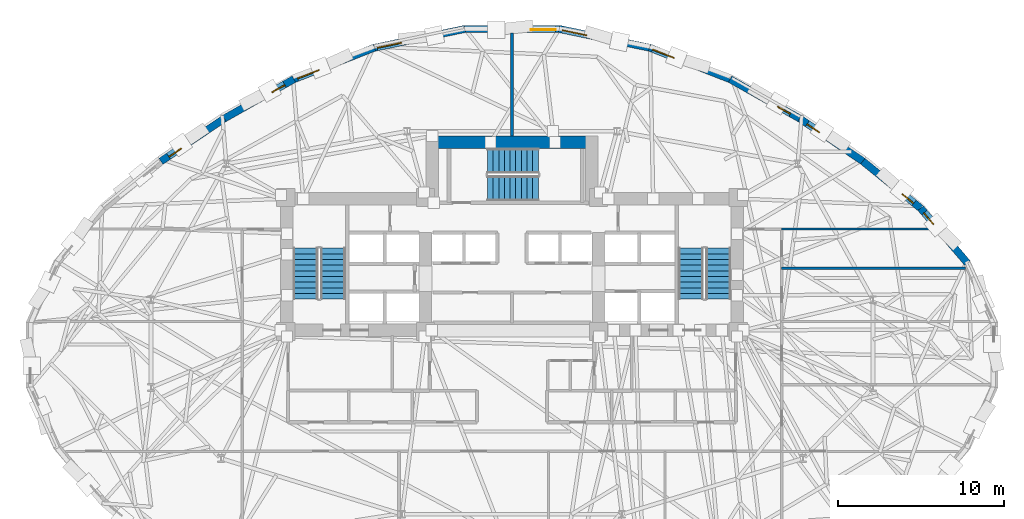
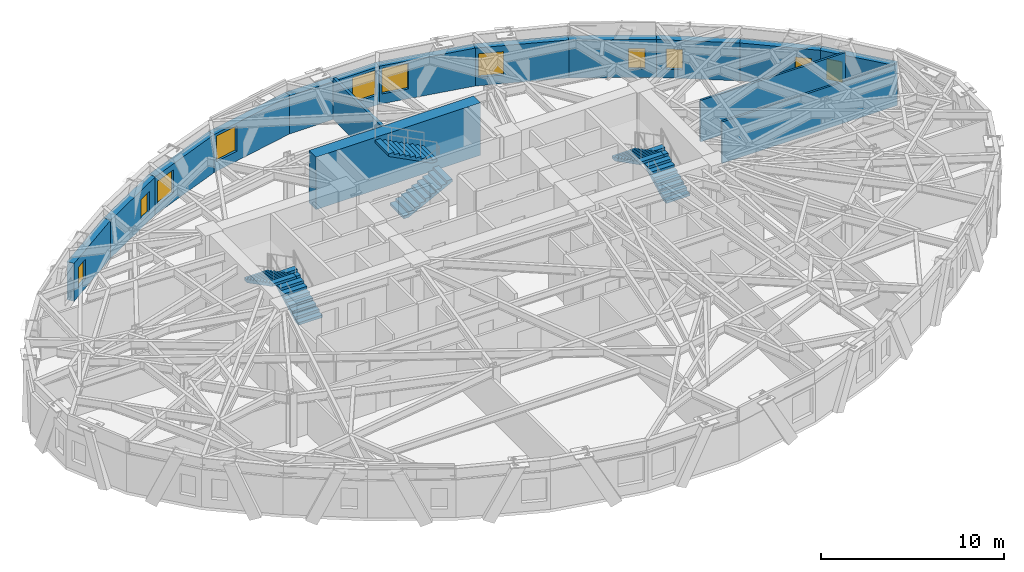
# One storey, part 10 of 14: 15 walls, 11 windows, 6 stair flights, 11 openings, 3 elements without a shape of their own.
"""IFC4 building model written with IfcOpenShell, lengths in metres."""

from ifc_helpers import new_model, si_unit, direction, frame, frame_2d, origin, place, context, subcontext, project, spatial, polyline, rectangle, outline, extrude, material, layer, layer_set, type_object, element, fill, aggregate, save


model = new_model("IFC4")

# Units and contexts
model_context = context("Model", 3, precision=1e-05, world=origin(), true_north=direction((0.0, 1.0)))
body_context = subcontext(model_context, "Body", "Model", "MODEL_VIEW")
ifc_project = project(units=[si_unit("LENGTHUNIT", "METRE"), si_unit("AREAUNIT", "SQUARE_METRE"), si_unit("VOLUMEUNIT", "CUBIC_METRE"), si_unit("PLANEANGLEUNIT", "RADIAN"), si_unit("MASSUNIT", "GRAM", prefix="KILO")], contexts=[model_context])

# Site, building, storey
site_placement = place(None, origin())
site = spatial("IfcSite", under=ifc_project, at=site_placement, CompositionType="ELEMENT")
building_placement = place(site_placement, origin())
building = spatial("IfcBuilding", under=site, at=building_placement, Name="Keldmark Tower", CompositionType="ELEMENT")
storey_placement = place(building_placement, frame((0.0, 0.0, 86.10009765625)))
storey = spatial("IfcBuildingStorey", under=building, at=storey_placement, Name="L22", CompositionType="ELEMENT", Elevation=86.10009765625)

# Walls
ifc_material_1 = material(Name="STC-58 Insulated Tenant Demising Gypsum Partition", Category="gypsum")
ifc_layer_1 = layer(ifc_material_1, 0.175048828125)
ifc_layer_set_1 = layer_set([ifc_layer_1], Name="STC-58 Insulated Tenant Demising Gypsum Partition")
wall_type_1 = type_object("IfcWallType", Name="Demising Suite Partition 175 mm", PredefinedType="PARTITIONING", material=ifc_layer_set_1)
wall_1_placement = place(storey_placement, frame((0.0, 13.14990234375, 0.0), z_axis=(0.0, 0.0, 1.0), x_axis=(0.0, 1.0, 0.0)))
element("IfcWall", 1, at=wall_1_placement, inside=storey, type_object=wall_type_1, Name="L22 Demising Suite Partition 175 mm N-MID-DIV", PredefinedType="PARTITIONING", context=body_context, shape_type="SweptSolid", body=[
    extrude(rectangle(XDim=6.19970703125, YDim=0.175048828125, at=frame_2d((3.099853515625, 0.0))), origin(), (0.0, 0.0, 1.0), 2.762939453125),
])
ifc_material_2 = material(Name="Acoustic Gypsum Board Interior Partition", Category="gypsum")
ifc_layer_2 = layer(ifc_material_2, 0.1298828125)
ifc_layer_set_2 = layer_set([ifc_layer_2], Name="Acoustic Gypsum Board Interior Partition")
wall_type_2 = type_object("IfcWallType", Name="Interior Partition 130 mm", PredefinedType="PARTITIONING", material=ifc_layer_set_2)
wall_2_placement = place(storey_placement, frame((16.199951171875, 7.550048828125, 0.0), z_axis=(0.0, 0.0, 1.0), x_axis=(1.0, 0.0, 0.0)))
element("IfcWall", 2, at=wall_2_placement, inside=storey, type_object=wall_type_2, Name="L22 Interior Partition 130 mm E-CAP-N", PredefinedType="PARTITIONING", context=body_context, shape_type="SweptSolid", body=[
    extrude(rectangle(XDim=9.130859375, YDim=0.1298828125, at=frame_2d((4.5654296875, 0.0))), origin(), (0.0, 0.0, 1.0), 2.762939453125),
])
wall_3_placement = place(storey_placement, frame((16.199951171875, 5.199951171875, 0.0), z_axis=(0.0, 0.0, 1.0), x_axis=(1.0, 0.0, 0.0)))
element("IfcWall", 3, at=wall_3_placement, inside=storey, type_object=wall_type_2, Name="L22 Interior Partition 130 mm E-DIV-3", PredefinedType="PARTITIONING", context=body_context, shape_type="SweptSolid", body=[
    extrude(rectangle(XDim=11.047607421875, YDim=0.1298828125, at=frame_2d((5.52392578125, 0.0))), origin(), (0.0, 0.0, 1.0), 2.762939453125),
])
ifc_material_3 = material(Name="Concrete C70/85", Category="concrete")
ifc_layer_3 = layer(ifc_material_3, 0.75)
ifc_layer_set_3 = layer_set([ifc_layer_3], Name="Concrete C70/85")
wall_type_3 = type_object("IfcWallType", Name="Low-Mid Core Shear Wall 750 mm", PredefinedType="SHEAR", material=ifc_layer_set_3)
wall_4_placement = place(storey_placement, frame((-5.175048828125, 12.77490234375, 0.0), z_axis=(0.0, 0.0, 1.0), x_axis=(1.0, 0.0, 0.0)))
element("IfcWall", 4, at=wall_4_placement, inside=storey, type_object=wall_type_3, Name="L22 North Core Shear Wall", PredefinedType="SHEAR", context=body_context, shape_type="SweptSolid", body=[
    extrude(rectangle(XDim=10.35009765625, YDim=0.75, at=frame_2d((5.175048828125, 0.0))), origin(), (0.0, 0.0, 1.0), 3.5),
])

# Wall, opening, window
ifc_material_4 = material(Name="Ironspot Manganese Brick and Kasota Buff Limestone Spandrel Assembly", Category="masonry")
ifc_layer_4 = layer(ifc_material_4, 0.43994140625)
ifc_layer_set_4 = layer_set([ifc_layer_4], Name="Ironspot Manganese Brick and Kasota Buff Limestone Spandrel Assembly")
wall_type_4 = type_object("IfcWallType", Name="Tower Brick Pier and Spandrel Wall 440 mm", PredefinedType="STANDARD", material=ifc_layer_set_4)
wall_5_placement = place(storey_placement, frame((24.552978515625, 8.8134765625, 0.0), z_axis=(0.0, 0.0, 1.0), x_axis=(0.648913975558, -0.760861782669, 0.0)))
wall_5 = element("IfcWall", 5, at=wall_5_placement, inside=storey, type_object=wall_type_4, Name="L22 Exterior Brick and Spandrel Wall 02", PredefinedType="STANDARD", context=body_context, shape_type="SweptSolid", body=[
    extrude(rectangle(XDim=4.3310546875, YDim=0.43994140625, at=frame_2d((2.16552734375, 0.0))), origin(), (0.0, 0.0, 1.0), 2.52783203125),
])
opening_1_placement = place(wall_5_placement, frame((0.34912109375, 0.0, 0.580078125)))
opening_1 = element("IfcOpeningElement", 6, at=opening_1_placement, cuts=wall_5, Name="Opening W-09", PredefinedType="OPENING", context=body_context, shape_type="SweptSolid", body=[
    extrude(rectangle(XDim=0.89990234375, YDim=1.35009765625, at=frame_2d((0.449951171875, 0.675048828125))), frame((0.0, 0.22998046875, 0.0), z_axis=(0.0, -1.0, 0.0), x_axis=(1.0, 0.0, 0.0)), (0.0, 0.0, 1.0), 0.4599609375),
])
ifc_material_5 = material(Name="Thermally Broken Anodized Aluminum and Triple Low-E Argon Glazing", Category="aluminium")
window_type_1 = type_object("IfcWindowType", Name="Corner Pier Deep-Set Window 900x1350", PartitioningType="SINGLE_PANEL", PredefinedType="WINDOW", material=ifc_material_5)
window_1_placement = place(opening_1_placement, origin())
window_1 = element("IfcWindow", 7, at=window_1_placement, inside=storey, type_object=window_type_1, Name="L22 Deep-Set Window 02", OverallHeight=1.35009765625, OverallWidth=0.89990234375, PartitioningType="SINGLE_PANEL", PredefinedType="WINDOW", context=body_context, shape_type="SweptSolid", body=[
    extrude(rectangle(XDim=0.89990234375, YDim=1.35009765625, at=frame_2d((0.449951171875, 0.675048828125))), frame((0.0, -0.010009765625, 0.0), z_axis=(0.0, -1.0, 0.0), x_axis=(1.0, 0.0, 0.0)), (0.0, 0.0, 1.0), 0.06005859375),
])
fill(opening_1, window_1)

wall_6_placement = place(storey_placement, frame((21.080810546875, 11.63330078125, 0.0), z_axis=(0.0, 0.0, 1.0), x_axis=(0.775728286929, -0.631067052585, 0.0)))
wall_6 = element("IfcWall", 8, at=wall_6_placement, inside=storey, type_object=wall_type_4, Name="L22 Exterior Brick and Spandrel Wall 03", PredefinedType="STANDARD", context=body_context, shape_type="SweptSolid", body=[
    extrude(rectangle(XDim=4.512939453125, YDim=0.43994140625, at=frame_2d((2.25634765625, 0.0))), origin(), (0.0, 0.0, 1.0), 2.52783203125),
])
opening_2_placement = place(wall_6_placement, frame((3.066650390625, 0.0, 0.580078125)))
opening_2 = element("IfcOpeningElement", 9, at=opening_2_placement, cuts=wall_6, Name="Opening W-09", PredefinedType="OPENING", context=body_context, shape_type="SweptSolid", body=[
    extrude(rectangle(XDim=0.89990234375, YDim=1.35009765625, at=frame_2d((0.449951171875, 0.675048828125))), frame((0.0, 0.22998046875, 0.0), z_axis=(0.0, -1.0, 0.0), x_axis=(1.0, 0.0, 0.0)), (0.0, 0.0, 1.0), 0.4599609375),
])
window_2_placement = place(opening_2_placement, origin())
window_2 = element("IfcWindow", 10, at=window_2_placement, inside=storey, type_object=window_type_1, Name="L22 Deep-Set Window 03", OverallHeight=1.35009765625, OverallWidth=0.89990234375, PartitioningType="SINGLE_PANEL", PredefinedType="WINDOW", context=body_context, shape_type="SweptSolid", body=[
    extrude(rectangle(XDim=0.89990234375, YDim=1.35009765625, at=frame_2d((0.449951171875, 0.675048828125))), frame((0.0, -0.010009765625, 0.0), z_axis=(0.0, -1.0, 0.0), x_axis=(1.0, 0.0, 0.0)), (0.0, 0.0, 1.0), 0.06005859375),
])
fill(opening_2, window_2)

wall_7_placement = place(storey_placement, frame((17.291015625, 14.200927734375, 0.0), z_axis=(0.0, 0.0, 1.0), x_axis=(0.827777061901, -0.561057159112, 0.0)))
wall_7 = element("IfcWall", 11, at=wall_7_placement, inside=storey, type_object=wall_type_4, Name="L22 Exterior Brick and Spandrel Wall 04", PredefinedType="STANDARD", context=body_context, shape_type="SweptSolid", body=[
    extrude(rectangle(XDim=4.596923828125, YDim=0.43994140625, at=frame_2d((2.29833984375, 0.0))), origin(), (0.0, 0.0, 1.0), 2.52783203125),
])
opening_3_placement = place(wall_7_placement, frame((0.5498046875, 0.0, 0.580078125)))
opening_3 = element("IfcOpeningElement", 12, at=opening_3_placement, cuts=wall_7, Name="Opening W-09", PredefinedType="OPENING", context=body_context, shape_type="SweptSolid", body=[
    extrude(rectangle(XDim=0.89990234375, YDim=1.35009765625, at=frame_2d((0.449951171875, 0.675048828125))), frame((0.0, 0.22998046875, 0.0), z_axis=(0.0, -1.0, 0.0), x_axis=(1.0, 0.0, 0.0)), (0.0, 0.0, 1.0), 0.4599609375),
])
window_3_placement = place(opening_3_placement, origin())
window_3 = element("IfcWindow", 13, at=window_3_placement, inside=storey, type_object=window_type_1, Name="L22 Deep-Set Window 04", OverallHeight=1.35009765625, OverallWidth=0.89990234375, PartitioningType="SINGLE_PANEL", PredefinedType="WINDOW", context=body_context, shape_type="SweptSolid", body=[
    extrude(rectangle(XDim=0.89990234375, YDim=1.35009765625, at=frame_2d((0.449951171875, 0.675048828125))), frame((0.0, -0.010009765625, 0.0), z_axis=(0.0, -1.0, 0.0), x_axis=(1.0, 0.0, 0.0)), (0.0, 0.0, 1.0), 0.06005859375),
])
fill(opening_3, window_3)

wall_8_placement = place(storey_placement, frame((13.10498046875, 16.564208984375, 0.0), z_axis=(0.0, 0.0, 1.0), x_axis=(0.870732411856, -0.491757121903, 0.0)))
wall_8 = element("IfcWall", 14, at=wall_8_placement, inside=storey, type_object=wall_type_4, Name="L22 Exterior Brick and Spandrel Wall 05", PredefinedType="STANDARD", context=body_context, shape_type="SweptSolid", body=[
    extrude(rectangle(XDim=4.8251953125, YDim=0.43994140625, at=frame_2d((2.41259765625, 0.0))), origin(), (0.0, 0.0, 1.0), 2.52783203125),
])
opening_4_placement = place(wall_8_placement, frame((3.2783203125, 0.0, 0.580078125)))
opening_4 = element("IfcOpeningElement", 15, at=opening_4_placement, cuts=wall_8, Name="Opening W-09", PredefinedType="OPENING", context=body_context, shape_type="SweptSolid", body=[
    extrude(rectangle(XDim=0.89990234375, YDim=1.35009765625, at=frame_2d((0.449951171875, 0.675048828125))), frame((0.0, 0.22998046875, 0.0), z_axis=(0.0, -1.0, 0.0), x_axis=(1.0, 0.0, 0.0)), (0.0, 0.0, 1.0), 0.4599609375),
])
window_4_placement = place(opening_4_placement, origin())
window_4 = element("IfcWindow", 16, at=window_4_placement, inside=storey, type_object=window_type_1, Name="L22 Deep-Set Window 05", OverallHeight=1.35009765625, OverallWidth=0.89990234375, PartitioningType="SINGLE_PANEL", PredefinedType="WINDOW", context=body_context, shape_type="SweptSolid", body=[
    extrude(rectangle(XDim=0.89990234375, YDim=1.35009765625, at=frame_2d((0.449951171875, 0.675048828125))), frame((0.0, -0.010009765625, 0.0), z_axis=(0.0, -1.0, 0.0), x_axis=(1.0, 0.0, 0.0)), (0.0, 0.0, 1.0), 0.06005859375),
])
fill(opening_4, window_4)

wall_9_placement = place(storey_placement, frame((8.271240234375, 18.456298828125, 0.0), z_axis=(0.0, 0.0, 1.0), x_axis=(0.931059171354, -0.364868222017, 0.0)))
wall_9 = element("IfcWall", 17, at=wall_9_placement, inside=storey, type_object=wall_type_4, Name="L22 Exterior Brick and Spandrel Wall 06", PredefinedType="STANDARD", context=body_context, shape_type="SweptSolid", body=[
    extrude(rectangle(XDim=5.221923828125, YDim=0.43994140625, at=frame_2d((2.61083984375, 0.0))), origin(), (0.0, 0.0, 1.0), 2.52783203125),
])
opening_5_placement = place(wall_9_placement, frame((0.199951171875, 0.0, 0.580078125)))
opening_5 = element("IfcOpeningElement", 18, at=opening_5_placement, cuts=wall_9, Name="Opening W-08", PredefinedType="OPENING", context=body_context, shape_type="SweptSolid", body=[
    extrude(rectangle(XDim=1.39990234375, YDim=1.550048828125, at=frame_2d((0.699951171875, 0.77490234375))), frame((0.0, 0.22998046875, 0.0), z_axis=(0.0, -1.0, 0.0), x_axis=(1.0, 0.0, 0.0)), (0.0, 0.0, 1.0), 0.4599609375),
])
ifc_material_6 = material(Name="Thermally Broken Anodized Aluminum and Triple Low-E Argon Glazing", Category="aluminium")
window_type_2 = type_object("IfcWindowType", Name="Residential Corner Punched Window 1400x1550", PartitioningType="SINGLE_PANEL", PredefinedType="WINDOW", material=ifc_material_6)
window_5_placement = place(opening_5_placement, origin())
window_5 = element("IfcWindow", 19, at=window_5_placement, inside=storey, type_object=window_type_2, Name="L22 Deep-Set Window 06", OverallHeight=1.550048828125, OverallWidth=1.39990234375, PartitioningType="SINGLE_PANEL", PredefinedType="WINDOW", context=body_context, shape_type="SweptSolid", body=[
    extrude(rectangle(XDim=1.39990234375, YDim=1.550048828125, at=frame_2d((0.699951171875, 0.77490234375))), frame((0.0, -0.010009765625, 0.0), z_axis=(0.0, -1.0, 0.0), x_axis=(1.0, 0.0, 0.0)), (0.0, 0.0, 1.0), 0.06005859375),
])
fill(opening_5, window_5)

wall_10_placement = place(storey_placement, frame((2.83203125, 19.582275390625, 0.0), z_axis=(0.0, 0.0, 1.0), x_axis=(0.979118590293, -0.20328990664, 0.0)))
wall_10 = element("IfcWall", 20, at=wall_10_placement, inside=storey, type_object=wall_type_4, Name="L22 Exterior Brick and Spandrel Wall 07", PredefinedType="STANDARD", context=body_context, shape_type="SweptSolid", body=[
    extrude(rectangle(XDim=5.591552734375, YDim=0.43994140625, at=frame_2d((2.7958984375, 0.0))), origin(), (0.0, 0.0, 1.0), 2.52783203125),
])
opening_6_placement = place(wall_10_placement, frame((0.199951171875, 0.0, 0.64990234375)))
opening_6 = element("IfcOpeningElement", 21, at=opening_6_placement, cuts=wall_10, Name="Opening W-03", PredefinedType="OPENING", context=body_context, shape_type="SweptSolid", body=[
    extrude(rectangle(XDim=1.5, YDim=1.699951171875, at=frame_2d((0.75, 0.85009765625))), frame((0.0, 0.22998046875, 0.0), z_axis=(0.0, -1.0, 0.0), x_axis=(1.0, 0.0, 0.0)), (0.0, 0.0, 1.0), 0.4599609375),
])
ifc_material_7 = material(Name="Thermally Broken Anodized Aluminum and Triple Low-E Argon Glazing", Category="aluminium")
window_type_3 = type_object("IfcWindowType", Name="Office Corner Deep-Set Window 1500x1700", PartitioningType="DOUBLE_PANEL_VERTICAL", PredefinedType="WINDOW", material=ifc_material_7)
window_6_placement = place(opening_6_placement, origin())
window_6 = element("IfcWindow", 22, at=window_6_placement, inside=storey, type_object=window_type_3, Name="L22 Deep-Set Window 07", OverallHeight=1.699951171875, OverallWidth=1.5, PartitioningType="SINGLE_PANEL", PredefinedType="WINDOW", context=body_context, shape_type="SweptSolid", body=[
    extrude(rectangle(XDim=1.5, YDim=1.699951171875, at=frame_2d((0.75, 0.85009765625))), frame((0.0, -0.010009765625, 0.0), z_axis=(0.0, -1.0, 0.0), x_axis=(1.0, 0.0, 0.0)), (0.0, 0.0, 1.0), 0.06005859375),
])
fill(opening_6, window_6)

wall_11_placement = place(storey_placement, frame((-2.876708984375, 19.57763671875, 0.0), z_axis=(0.0, 0.0, 1.0), x_axis=(1.0, 0.0, 0.0)))
wall_11 = element("IfcWall", 23, at=wall_11_placement, inside=storey, type_object=wall_type_4, Name="L22 Exterior Brick and Spandrel Wall 08", PredefinedType="STANDARD", context=body_context, shape_type="SweptSolid", body=[
    extrude(rectangle(XDim=5.75341796875, YDim=0.43994140625, at=frame_2d((2.876708984375, 0.0))), origin(), (0.0, 0.0, 1.0), 2.52783203125),
])
opening_7_placement = place(wall_11_placement, frame((4.00390625, 0.0, 0.64990234375)))
opening_7 = element("IfcOpeningElement", 24, at=opening_7_placement, cuts=wall_11, Name="Opening W-03", PredefinedType="OPENING", context=body_context, shape_type="SweptSolid", body=[
    extrude(rectangle(XDim=1.5, YDim=1.699951171875, at=frame_2d((0.75, 0.85009765625))), frame((0.0, 0.22998046875, 0.0), z_axis=(0.0, -1.0, 0.0), x_axis=(1.0, 0.0, 0.0)), (0.0, 0.0, 1.0), 0.4599609375),
])
window_7_placement = place(opening_7_placement, origin())
window_7 = element("IfcWindow", 25, at=window_7_placement, inside=storey, type_object=window_type_3, Name="L22 Deep-Set Window 08", OverallHeight=1.699951171875, OverallWidth=1.5, PartitioningType="SINGLE_PANEL", PredefinedType="WINDOW", context=body_context, shape_type="SweptSolid", body=[
    extrude(rectangle(XDim=1.5, YDim=1.699951171875, at=frame_2d((0.75, 0.85009765625))), frame((0.0, -0.010009765625, 0.0), z_axis=(0.0, -1.0, 0.0), x_axis=(1.0, 0.0, 0.0)), (0.0, 0.0, 1.0), 0.06005859375),
])
fill(opening_7, window_7)

wall_12_placement = place(storey_placement, frame((-8.306884765625, 18.445556640625, 0.0), z_axis=(0.0, 0.0, 1.0), x_axis=(0.979118590293, 0.20328990664, 0.0)))
wall_12 = element("IfcWall", 26, at=wall_12_placement, inside=storey, type_object=wall_type_4, Name="L22 Exterior Brick and Spandrel Wall 09", PredefinedType="STANDARD", context=body_context, shape_type="SweptSolid", body=[
    extrude(rectangle(XDim=5.591552734375, YDim=0.43994140625, at=frame_2d((2.7958984375, 0.0))), origin(), (0.0, 0.0, 1.0), 2.52783203125),
])
opening_8_placement = place(wall_12_placement, frame((0.199951171875, 0.0, 0.64990234375)))
opening_8 = element("IfcOpeningElement", 27, at=opening_8_placement, cuts=wall_12, Name="Opening W-03", PredefinedType="OPENING", context=body_context, shape_type="SweptSolid", body=[
    extrude(rectangle(XDim=1.5, YDim=1.699951171875, at=frame_2d((0.75, 0.85009765625))), frame((0.0, 0.22998046875, 0.0), z_axis=(0.0, -1.0, 0.0), x_axis=(1.0, 0.0, 0.0)), (0.0, 0.0, 1.0), 0.4599609375),
])
window_8_placement = place(opening_8_placement, origin())
window_8 = element("IfcWindow", 28, at=window_8_placement, inside=storey, type_object=window_type_3, Name="L22 Deep-Set Window 09", OverallHeight=1.699951171875, OverallWidth=1.5, PartitioningType="SINGLE_PANEL", PredefinedType="WINDOW", context=body_context, shape_type="SweptSolid", body=[
    extrude(rectangle(XDim=1.5, YDim=1.699951171875, at=frame_2d((0.75, 0.85009765625))), frame((0.0, -0.010009765625, 0.0), z_axis=(0.0, -1.0, 0.0), x_axis=(1.0, 0.0, 0.0)), (0.0, 0.0, 1.0), 0.06005859375),
])
fill(opening_8, window_8)

wall_13_placement = place(storey_placement, frame((-13.133056640625, 16.551025390625, 0.0), z_axis=(0.0, 0.0, 1.0), x_axis=(0.931059171354, 0.364868222017, 0.0)))
wall_13 = element("IfcWall", 29, at=wall_13_placement, inside=storey, type_object=wall_type_4, Name="L22 Exterior Brick and Spandrel Wall 10", PredefinedType="STANDARD", context=body_context, shape_type="SweptSolid", body=[
    extrude(rectangle(XDim=5.221923828125, YDim=0.43994140625, at=frame_2d((2.61083984375, 0.0))), origin(), (0.0, 0.0, 1.0), 2.52783203125),
])
opening_9_placement = place(wall_13_placement, frame((0.24951171875, 0.0, 0.580078125)))
opening_9 = element("IfcOpeningElement", 30, at=opening_9_placement, cuts=wall_13, Name="Opening W-08", PredefinedType="OPENING", context=body_context, shape_type="SweptSolid", body=[
    extrude(rectangle(XDim=1.39990234375, YDim=1.550048828125, at=frame_2d((0.699951171875, 0.77490234375))), frame((0.0, 0.22998046875, 0.0), z_axis=(0.0, -1.0, 0.0), x_axis=(1.0, 0.0, 0.0)), (0.0, 0.0, 1.0), 0.4599609375),
])
window_9_placement = place(opening_9_placement, origin())
window_9 = element("IfcWindow", 31, at=window_9_placement, inside=storey, type_object=window_type_2, Name="L22 Deep-Set Window 10", OverallHeight=1.550048828125, OverallWidth=1.39990234375, PartitioningType="SINGLE_PANEL", PredefinedType="WINDOW", context=body_context, shape_type="SweptSolid", body=[
    extrude(rectangle(XDim=1.39990234375, YDim=1.550048828125, at=frame_2d((0.699951171875, 0.77490234375))), frame((0.0, -0.010009765625, 0.0), z_axis=(0.0, -1.0, 0.0), x_axis=(1.0, 0.0, 0.0)), (0.0, 0.0, 1.0), 0.06005859375),
])
fill(opening_9, window_9)

wall_14_placement = place(storey_placement, frame((-17.306396484375, 14.19140625, 0.0), z_axis=(0.0, 0.0, 1.0), x_axis=(0.870732411856, 0.491757121903, 0.0)))
wall_14 = element("IfcWall", 32, at=wall_14_placement, inside=storey, type_object=wall_type_4, Name="L22 Exterior Brick and Spandrel Wall 11", PredefinedType="STANDARD", context=body_context, shape_type="SweptSolid", body=[
    extrude(rectangle(XDim=4.8251953125, YDim=0.43994140625, at=frame_2d((2.41259765625, 0.0))), origin(), (0.0, 0.0, 1.0), 2.52783203125),
])
opening_10_placement = place(wall_14_placement, frame((3.2783203125, 0.0, 0.580078125)))
opening_10 = element("IfcOpeningElement", 33, at=opening_10_placement, cuts=wall_14, Name="Opening W-09", PredefinedType="OPENING", context=body_context, shape_type="SweptSolid", body=[
    extrude(rectangle(XDim=0.89990234375, YDim=1.35009765625, at=frame_2d((0.449951171875, 0.675048828125))), frame((0.0, 0.22998046875, 0.0), z_axis=(0.0, -1.0, 0.0), x_axis=(1.0, 0.0, 0.0)), (0.0, 0.0, 1.0), 0.4599609375),
])
window_10_placement = place(opening_10_placement, origin())
window_10 = element("IfcWindow", 34, at=window_10_placement, inside=storey, type_object=window_type_1, Name="L22 Deep-Set Window 11", OverallHeight=1.35009765625, OverallWidth=0.89990234375, PartitioningType="SINGLE_PANEL", PredefinedType="WINDOW", context=body_context, shape_type="SweptSolid", body=[
    extrude(rectangle(XDim=0.89990234375, YDim=1.35009765625, at=frame_2d((0.449951171875, 0.675048828125))), frame((0.0, -0.010009765625, 0.0), z_axis=(0.0, -1.0, 0.0), x_axis=(1.0, 0.0, 0.0)), (0.0, 0.0, 1.0), 0.06005859375),
])
fill(opening_10, window_10)

wall_15_placement = place(storey_placement, frame((-21.09619140625, 11.621826171875, 0.0), z_axis=(0.0, 0.0, 1.0), x_axis=(0.827777061901, 0.561057159112, 0.0)))
wall_15 = element("IfcWall", 35, at=wall_15_placement, inside=storey, type_object=wall_type_4, Name="L22 Exterior Brick and Spandrel Wall 12", PredefinedType="STANDARD", context=body_context, shape_type="SweptSolid", body=[
    extrude(rectangle(XDim=4.596923828125, YDim=0.43994140625, at=frame_2d((2.29833984375, 0.0))), origin(), (0.0, 0.0, 1.0), 2.52783203125),
])
opening_11_placement = place(wall_15_placement, frame((0.5498046875, 0.0, 0.580078125)))
opening_11 = element("IfcOpeningElement", 36, at=opening_11_placement, cuts=wall_15, Name="Opening W-09", PredefinedType="OPENING", context=body_context, shape_type="SweptSolid", body=[
    extrude(rectangle(XDim=0.89990234375, YDim=1.35009765625, at=frame_2d((0.449951171875, 0.675048828125))), frame((0.0, 0.22998046875, 0.0), z_axis=(0.0, -1.0, 0.0), x_axis=(1.0, 0.0, 0.0)), (0.0, 0.0, 1.0), 0.4599609375),
])
window_11_placement = place(opening_11_placement, origin())
window_11 = element("IfcWindow", 37, at=window_11_placement, inside=storey, type_object=window_type_1, Name="L22 Deep-Set Window 12", OverallHeight=1.35009765625, OverallWidth=0.89990234375, PartitioningType="SINGLE_PANEL", PredefinedType="WINDOW", context=body_context, shape_type="SweptSolid", body=[
    extrude(rectangle(XDim=0.89990234375, YDim=1.35009765625, at=frame_2d((0.449951171875, 0.675048828125))), frame((0.0, -0.010009765625, 0.0), z_axis=(0.0, -1.0, 0.0), x_axis=(1.0, 0.0, 0.0)), (0.0, 0.0, 1.0), 0.06005859375),
])
fill(opening_11, window_11)

# Stair, stair flights
ifc_material_8 = material(Name="Concrete C40/50", Category="concrete")
stair_type = type_object("IfcStairType", Name="Precast Concrete Core Exit Stair", PredefinedType="HALF_TURN_STAIR", material=ifc_material_8)
stair_1_placement = place(storey_placement, origin())
stair_1 = element("IfcStair", 38, at=stair_1_placement, inside=storey, type_object=stair_type, Name="L22 Exit Stair ST1", PredefinedType="HALF_TURN_STAIR")
ifc_material_9 = material(Name="Concrete C40/50", Category="concrete")
stair_flight_type = type_object("IfcStairFlightType", Name="Precast Concrete Stair Flight 1500 mm", PredefinedType="STRAIGHT", material=ifc_material_9)
stair_flight_1_placement = place(storey_placement, frame((-10.75, 3.35009765625, 0.0), z_axis=(0.0, 0.0, 1.0), x_axis=(0.0, 1.0, 0.0)))
stair_flight_1 = element("IfcStairFlight", 39, at=stair_flight_1_placement, type_object=stair_flight_type, Name="ST1 flight 1", NumberOfRisers=10, NumberOfTreads=9, PredefinedType="STRAIGHT", RiserHeight=0.175, TreadLength=0.34, context=body_context, shape_type="SweptSolid", body=[
    extrude(outline(polyline([(0.0, 0.0), (0.0, 0.175048828125), (0.340087890625, 0.175048828125), (0.340087890625, 0.35009765625), (0.679931640625, 0.35009765625), (0.679931640625, 0.52490234375), (1.02001953125, 0.52490234375), (1.02001953125, 0.699951171875), (1.360107421875, 0.699951171875), (1.360107421875, 0.875), (1.699951171875, 0.875), (1.699951171875, 1.050048828125), (2.0400390625, 1.050048828125), (2.0400390625, 1.22509765625), (2.3798828125, 1.22509765625), (2.3798828125, 1.39990234375), (2.719970703125, 1.39990234375), (2.719970703125, 1.574951171875), (3.06005859375, 1.574951171875), (3.06005859375, 1.75), (3.06005859375, 1.406494140625), (0.32763671875, 0.0), (0.0, 0.0)])), frame((0.0, 0.75, 0.0), z_axis=(0.0, -1.0, 0.0), x_axis=(1.0, 0.0, 0.0)), (0.0, 0.0, 1.0), 1.5),
])
stair_flight_2_placement = place(storey_placement, frame((-12.39990234375, 6.409912109375, 1.75), z_axis=(0.0, 0.0, 1.0), x_axis=(0.0, -1.0, 0.0)))
stair_flight_2 = element("IfcStairFlight", 40, at=stair_flight_2_placement, type_object=stair_flight_type, Name="ST1 flight 2", NumberOfRisers=10, NumberOfTreads=9, PredefinedType="STRAIGHT", RiserHeight=0.175, TreadLength=0.34, context=body_context, shape_type="SweptSolid", body=[
    extrude(outline(polyline([(0.0, 0.0), (0.0, 0.175048828125), (0.340087890625, 0.175048828125), (0.340087890625, 0.35009765625), (0.679931640625, 0.35009765625), (0.679931640625, 0.52490234375), (1.02001953125, 0.52490234375), (1.02001953125, 0.699951171875), (1.360107421875, 0.699951171875), (1.360107421875, 0.875), (1.699951171875, 0.875), (1.699951171875, 1.050048828125), (2.0400390625, 1.050048828125), (2.0400390625, 1.22509765625), (2.3798828125, 1.22509765625), (2.3798828125, 1.39990234375), (2.719970703125, 1.39990234375), (2.719970703125, 1.574951171875), (3.06005859375, 1.574951171875), (3.06005859375, 1.75), (3.06005859375, 1.406494140625), (0.32763671875, 0.0), (0.0, 0.0)])), frame((0.0, 0.75, 0.0), z_axis=(0.0, -1.0, 0.0), x_axis=(1.0, 0.0, 0.0)), (0.0, 0.0, 1.0), 1.5),
])
aggregate(stair_1, [stair_flight_1, stair_flight_2])

stair_2_placement = place(storey_placement, origin())
stair_2 = element("IfcStair", 41, at=stair_2_placement, inside=storey, type_object=stair_type, Name="L22 Exit Stair ST2", PredefinedType="HALF_TURN_STAIR")
stair_flight_3_placement = place(storey_placement, frame((12.39990234375, 3.35009765625, 0.0), z_axis=(0.0, 0.0, 1.0), x_axis=(0.0, 1.0, 0.0)))
stair_flight_3 = element("IfcStairFlight", 42, at=stair_flight_3_placement, type_object=stair_flight_type, Name="ST2 flight 1", NumberOfRisers=10, NumberOfTreads=9, PredefinedType="STRAIGHT", RiserHeight=0.175, TreadLength=0.34, context=body_context, shape_type="SweptSolid", body=[
    extrude(outline(polyline([(0.0, 0.0), (0.0, 0.175048828125), (0.340087890625, 0.175048828125), (0.340087890625, 0.35009765625), (0.679931640625, 0.35009765625), (0.679931640625, 0.52490234375), (1.02001953125, 0.52490234375), (1.02001953125, 0.699951171875), (1.360107421875, 0.699951171875), (1.360107421875, 0.875), (1.699951171875, 0.875), (1.699951171875, 1.050048828125), (2.0400390625, 1.050048828125), (2.0400390625, 1.22509765625), (2.3798828125, 1.22509765625), (2.3798828125, 1.39990234375), (2.719970703125, 1.39990234375), (2.719970703125, 1.574951171875), (3.06005859375, 1.574951171875), (3.06005859375, 1.75), (3.06005859375, 1.406494140625), (0.32763671875, 0.0), (0.0, 0.0)])), frame((0.0, 0.75, 0.0), z_axis=(0.0, -1.0, 0.0), x_axis=(1.0, 0.0, 0.0)), (0.0, 0.0, 1.0), 1.5),
])
stair_flight_4_placement = place(storey_placement, frame((10.75, 6.409912109375, 1.75), z_axis=(0.0, 0.0, 1.0), x_axis=(0.0, -1.0, 0.0)))
stair_flight_4 = element("IfcStairFlight", 43, at=stair_flight_4_placement, type_object=stair_flight_type, Name="ST2 flight 2", NumberOfRisers=10, NumberOfTreads=9, PredefinedType="STRAIGHT", RiserHeight=0.175, TreadLength=0.34, context=body_context, shape_type="SweptSolid", body=[
    extrude(outline(polyline([(0.0, 0.0), (0.0, 0.175048828125), (0.340087890625, 0.175048828125), (0.340087890625, 0.35009765625), (0.679931640625, 0.35009765625), (0.679931640625, 0.52490234375), (1.02001953125, 0.52490234375), (1.02001953125, 0.699951171875), (1.360107421875, 0.699951171875), (1.360107421875, 0.875), (1.699951171875, 0.875), (1.699951171875, 1.050048828125), (2.0400390625, 1.050048828125), (2.0400390625, 1.22509765625), (2.3798828125, 1.22509765625), (2.3798828125, 1.39990234375), (2.719970703125, 1.39990234375), (2.719970703125, 1.574951171875), (3.06005859375, 1.574951171875), (3.06005859375, 1.75), (3.06005859375, 1.406494140625), (0.32763671875, 0.0), (0.0, 0.0)])), frame((0.0, 0.75, 0.0), z_axis=(0.0, -1.0, 0.0), x_axis=(1.0, 0.0, 0.0)), (0.0, 0.0, 1.0), 1.5),
])
aggregate(stair_2, [stair_flight_3, stair_flight_4])

stair_3_placement = place(storey_placement, origin())
stair_3 = element("IfcStair", 44, at=stair_3_placement, inside=storey, type_object=stair_type, Name="L22 Exit Stair ST3", PredefinedType="HALF_TURN_STAIR")
stair_flight_5_placement = place(storey_placement, frame((-1.47509765625, 10.0, 0.0), z_axis=(0.0, 0.0, 1.0), x_axis=(1.0, 0.0, 0.0)))
stair_flight_5 = element("IfcStairFlight", 45, at=stair_flight_5_placement, type_object=stair_flight_type, Name="ST3 flight 1", NumberOfRisers=10, NumberOfTreads=9, PredefinedType="STRAIGHT", RiserHeight=0.175, TreadLength=0.34, context=body_context, shape_type="SweptSolid", body=[
    extrude(outline(polyline([(0.0, 0.0), (0.0, 0.175048828125), (0.340087890625, 0.175048828125), (0.340087890625, 0.35009765625), (0.679931640625, 0.35009765625), (0.679931640625, 0.52490234375), (1.02001953125, 0.52490234375), (1.02001953125, 0.699951171875), (1.360107421875, 0.699951171875), (1.360107421875, 0.875), (1.699951171875, 0.875), (1.699951171875, 1.050048828125), (2.0400390625, 1.050048828125), (2.0400390625, 1.22509765625), (2.3798828125, 1.22509765625), (2.3798828125, 1.39990234375), (2.719970703125, 1.39990234375), (2.719970703125, 1.574951171875), (3.06005859375, 1.574951171875), (3.06005859375, 1.75), (3.06005859375, 1.406494140625), (0.32763671875, 0.0), (0.0, 0.0)])), frame((0.0, 0.75, 0.0), z_axis=(0.0, -1.0, 0.0), x_axis=(1.0, 0.0, 0.0)), (0.0, 0.0, 1.0), 1.5),
])
stair_flight_6_placement = place(storey_placement, frame((1.5849609375, 11.64990234375, 1.75), z_axis=(0.0, 0.0, 1.0), x_axis=(-1.0, 0.0, 0.0)))
stair_flight_6 = element("IfcStairFlight", 46, at=stair_flight_6_placement, type_object=stair_flight_type, Name="ST3 flight 2", NumberOfRisers=10, NumberOfTreads=9, PredefinedType="STRAIGHT", RiserHeight=0.175, TreadLength=0.34, context=body_context, shape_type="SweptSolid", body=[
    extrude(outline(polyline([(0.0, 0.0), (0.0, 0.175048828125), (0.340087890625, 0.175048828125), (0.340087890625, 0.35009765625), (0.679931640625, 0.35009765625), (0.679931640625, 0.52490234375), (1.02001953125, 0.52490234375), (1.02001953125, 0.699951171875), (1.360107421875, 0.699951171875), (1.360107421875, 0.875), (1.699951171875, 0.875), (1.699951171875, 1.050048828125), (2.0400390625, 1.050048828125), (2.0400390625, 1.22509765625), (2.3798828125, 1.22509765625), (2.3798828125, 1.39990234375), (2.719970703125, 1.39990234375), (2.719970703125, 1.574951171875), (3.06005859375, 1.574951171875), (3.06005859375, 1.75), (3.06005859375, 1.406494140625), (0.32763671875, 0.0), (0.0, 0.0)])), frame((0.0, 0.75, 0.0), z_axis=(0.0, -1.0, 0.0), x_axis=(1.0, 0.0, 0.0)), (0.0, 0.0, 1.0), 1.5),
])
aggregate(stair_3, [stair_flight_5, stair_flight_6])

save(model, "model.ifc")
